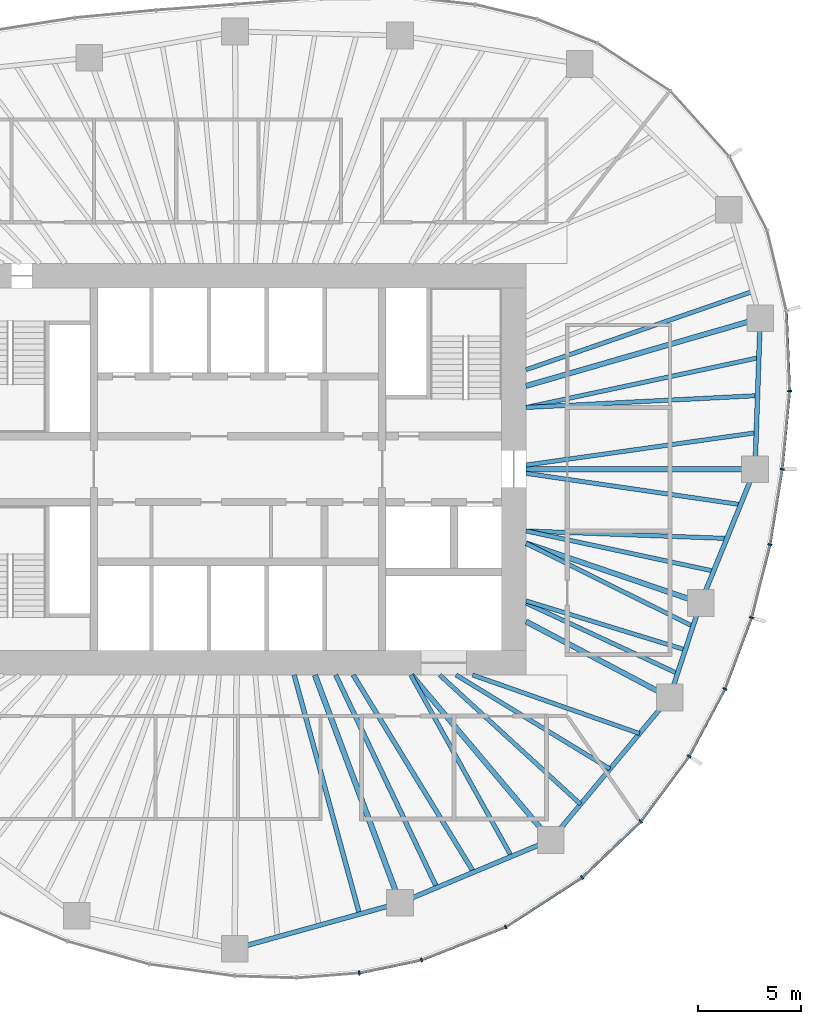
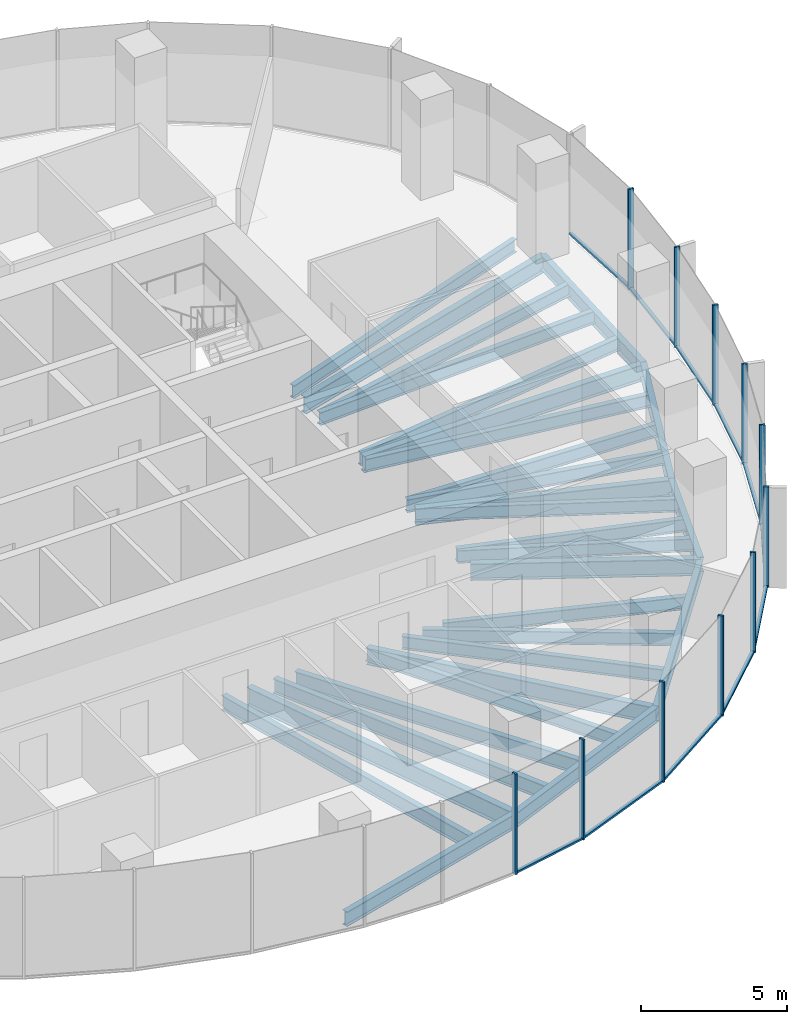
# One storey, part 4 of 12: 29 beams, 22 members, 6 elements without a shape of their own.
"""IFC4 building model written with IfcOpenShell, lengths in metres."""

from ifc_helpers import new_model, si_unit, direction, frame, origin, origin_2d, place, context, subcontext, project, spatial, rectangle, i_section, extrude, material, material_profile, profile_set, type_object, element, aggregate, save


model = new_model("IFC4")

# Units and contexts
model_context = context("Model", 3, precision=1e-05, world=origin(), true_north=direction((0.0, 1.0)))
body_context = subcontext(model_context, "Body", "Model", "MODEL_VIEW")
ifc_project = project(units=[si_unit("LENGTHUNIT", "METRE"), si_unit("AREAUNIT", "SQUARE_METRE"), si_unit("VOLUMEUNIT", "CUBIC_METRE"), si_unit("PLANEANGLEUNIT", "RADIAN"), si_unit("MASSUNIT", "GRAM", prefix="KILO")], contexts=[model_context])

# Site, building, storey
site_placement = place(None, origin())
site = spatial("IfcSite", under=ifc_project, at=site_placement, CompositionType="ELEMENT")
building_placement = place(site_placement, origin())
building = spatial("IfcBuilding", under=site, at=building_placement, Name="Ghaith Harvest Tower", CompositionType="ELEMENT")
storey_placement = place(building_placement, frame((0.0, 0.0, 207.39990234375)))
storey = spatial("IfcBuildingStorey", under=building, at=storey_placement, Name="L45", CompositionType="ELEMENT", Elevation=207.39990234375)

# Curtain wall, members
ifc_material_1 = material(Name="Black anodised aluminium and fritted glass", Category="aluminium")
curtain_wall_type = type_object("IfcCurtainWallType", Name="CW-H CURTAIN WALL", PredefinedType="NOTDEFINED", material=ifc_material_1)
curtain_wall_1_placement = place(storey_placement, origin())
curtain_wall_1 = element("IfcCurtainWall", 1, at=curtain_wall_1_placement, inside=storey, type_object=curtain_wall_type, Name="Curtain wall CW-H bay 01 L45", PredefinedType="NOTDEFINED")
ifc_material_2 = material(Name="Aluminium, black anodised", Category="aluminium")
ifc_material_profile_1 = material_profile(ifc_material_2, rectangle(XDim=0.080078125, YDim=0.199951171875, at=origin_2d()), Name="CW-H MULLION 80x200")
ifc_profile_set_1 = profile_set([ifc_material_profile_1], Name="Aluminium, black anodised")
member_type_1 = type_object("IfcMemberType", Name="CW-H MULLION 80x200", PredefinedType="MULLION", material=ifc_profile_set_1)
member_1_placement = place(storey_placement, frame((26.445068359375, 0.0, 0.0), z_axis=(0.0, 0.0, 1.0), x_axis=(0.126567624553, 0.991957981174, 0.0)))
member_1 = element("IfcMember", 2, at=member_1_placement, type_object=member_type_1, Name="CW-H mullion 1 bay 01 L45", PredefinedType="MULLION", context=body_context, shape_type="SweptSolid", body=[
    extrude(rectangle(XDim=0.080078125, YDim=0.199951171875, at=origin_2d()), origin(), (0.0, 0.0, 1.0), 4.2001953125),
])
member_2_placement = place(storey_placement, frame((26.804443359375, 3.7958984375, 0.0), z_axis=(0.0, 0.0, 1.0), x_axis=(0.026142797814, 0.999658218654, 0.0)))
member_2 = element("IfcMember", 3, at=member_2_placement, type_object=member_type_1, Name="CW-H mullion 2 bay 01 L45", PredefinedType="MULLION", context=body_context, shape_type="SweptSolid", body=[
    extrude(rectangle(XDim=0.080078125, YDim=0.199951171875, at=origin_2d()), origin(), (0.0, 0.0, 1.0), 4.2001953125),
])

# Curtain wall, member
curtain_wall_2_placement = place(storey_placement, origin())
curtain_wall_2 = element("IfcCurtainWall", 4, at=curtain_wall_2_placement, inside=storey, type_object=curtain_wall_type, Name="Curtain wall CW-H bay 16 L45", PredefinedType="NOTDEFINED")
member_3_placement = place(storey_placement, frame((5.893310546875, -24.48291015625, 0.0), z_axis=(0.0, 0.0, 1.0), x_axis=(0.989849191496, 0.142121701704, 0.0)))
member_3 = element("IfcMember", 5, at=member_3_placement, type_object=member_type_1, Name="CW-H mullion 3 bay 16 L45", PredefinedType="MULLION", context=body_context, shape_type="SweptSolid", body=[
    extrude(rectangle(XDim=0.080078125, YDim=0.199951171875, at=origin_2d()), origin(), (0.0, 0.0, 1.0), 4.2001953125),
])

# Curtain wall, members
curtain_wall_3_placement = place(storey_placement, origin())
curtain_wall_3 = element("IfcCurtainWall", 6, at=curtain_wall_3_placement, inside=storey, type_object=curtain_wall_type, Name="Curtain wall CW-H bay 17 L45", PredefinedType="NOTDEFINED")
member_4_placement = place(storey_placement, frame((8.916015625, -23.85009765625, 0.0), z_axis=(0.0, 0.0, 1.0), x_axis=(0.954029934434, 0.299711334793, 0.0)))
member_4 = element("IfcMember", 7, at=member_4_placement, type_object=member_type_1, Name="CW-H mullion 1 bay 17 L45", PredefinedType="MULLION", context=body_context, shape_type="SweptSolid", body=[
    extrude(rectangle(XDim=0.080078125, YDim=0.199951171875, at=origin_2d()), origin(), (0.0, 0.0, 1.0), 4.2001953125),
])
member_5_placement = place(storey_placement, frame((13.010009765625, -22.2470703125, 0.0), z_axis=(0.0, 0.0, 1.0), x_axis=(0.889568363425, 0.456802065225, 0.0)))
member_5 = element("IfcMember", 8, at=member_5_placement, type_object=member_type_1, Name="CW-H mullion 2 bay 17 L45", PredefinedType="MULLION", context=body_context, shape_type="SweptSolid", body=[
    extrude(rectangle(XDim=0.080078125, YDim=0.199951171875, at=origin_2d()), origin(), (0.0, 0.0, 1.0), 4.2001953125),
])

curtain_wall_4_placement = place(storey_placement, origin())
curtain_wall_4 = element("IfcCurtainWall", 9, at=curtain_wall_4_placement, inside=storey, type_object=curtain_wall_type, Name="Curtain wall CW-H bay 18 L45", PredefinedType="NOTDEFINED")
member_6_placement = place(storey_placement, frame((16.72900390625, -19.838134765625, 0.0), z_axis=(0.0, 0.0, 1.0), x_axis=(0.78784554071, 0.615872879727, 0.0)))
member_6 = element("IfcMember", 10, at=member_6_placement, type_object=member_type_1, Name="CW-H mullion 1 bay 18 L45", PredefinedType="MULLION", context=body_context, shape_type="SweptSolid", body=[
    extrude(rectangle(XDim=0.080078125, YDim=0.199951171875, at=origin_2d()), origin(), (0.0, 0.0, 1.0), 4.2001953125),
])
member_7_placement = place(storey_placement, frame((19.57421875, -17.11572265625, 0.0), z_axis=(0.0, 0.0, 1.0), x_axis=(0.661614965695, 0.749843741835, 0.0)))
member_7 = element("IfcMember", 11, at=member_7_placement, type_object=member_type_1, Name="CW-H mullion 2 bay 18 L45", PredefinedType="MULLION", context=body_context, shape_type="SweptSolid", body=[
    extrude(rectangle(XDim=0.080078125, YDim=0.199951171875, at=origin_2d()), origin(), (0.0, 0.0, 1.0), 4.2001953125),
])

curtain_wall_5_placement = place(storey_placement, origin())
curtain_wall_5 = element("IfcCurtainWall", 12, at=curtain_wall_5_placement, inside=storey, type_object=curtain_wall_type, Name="Curtain wall CW-H bay 19 L45", PredefinedType="NOTDEFINED")
member_8_placement = place(storey_placement, frame((21.922607421875, -13.951904296875, 0.0), z_axis=(0.0, 0.0, 1.0), x_axis=(0.535827198032, 0.844327669717, 0.0)))
member_8 = element("IfcMember", 13, at=member_8_placement, type_object=member_type_1, Name="CW-H mullion 1 bay 19 L45", PredefinedType="MULLION", context=body_context, shape_type="SweptSolid", body=[
    extrude(rectangle(XDim=0.080078125, YDim=0.199951171875, at=origin_2d()), origin(), (0.0, 0.0, 1.0), 4.2001953125),
])
member_9_placement = place(storey_placement, frame((23.658203125, -10.680419921875, 0.0), z_axis=(0.0, 0.0, 1.0), x_axis=(0.410429862351, 0.911892169114, 0.0)))
member_9 = element("IfcMember", 14, at=member_9_placement, type_object=member_type_1, Name="CW-H mullion 2 bay 19 L45", PredefinedType="MULLION", context=body_context, shape_type="SweptSolid", body=[
    extrude(rectangle(XDim=0.080078125, YDim=0.199951171875, at=origin_2d()), origin(), (0.0, 0.0, 1.0), 4.2001953125),
])

curtain_wall_6_placement = place(storey_placement, origin())
curtain_wall_6 = element("IfcCurtainWall", 15, at=curtain_wall_6_placement, inside=storey, type_object=curtain_wall_type, Name="Curtain wall CW-H bay 20 L45", PredefinedType="NOTDEFINED")
member_10_placement = place(storey_placement, frame((24.955810546875, -7.212890625, 0.0), z_axis=(0.0, 0.0, 1.0), x_axis=(0.298441625478, 0.954427889462, 0.0)))
member_10 = element("IfcMember", 16, at=member_10_placement, type_object=member_type_1, Name="CW-H mullion 1 bay 20 L45", PredefinedType="MULLION", context=body_context, shape_type="SweptSolid", body=[
    extrude(rectangle(XDim=0.080078125, YDim=0.199951171875, at=origin_2d()), origin(), (0.0, 0.0, 1.0), 4.2001953125),
])
member_11_placement = place(storey_placement, frame((25.85302734375, -3.6611328125, 0.0), z_axis=(0.0, 0.0, 1.0), x_axis=(0.202192370647, 0.979345825157, 0.0)))
member_11 = element("IfcMember", 17, at=member_11_placement, type_object=member_type_1, Name="CW-H mullion 2 bay 20 L45", PredefinedType="MULLION", context=body_context, shape_type="SweptSolid", body=[
    extrude(rectangle(XDim=0.080078125, YDim=0.199951171875, at=origin_2d()), origin(), (0.0, 0.0, 1.0), 4.2001953125),
])

# Member
ifc_material_3 = material(Name="Aluminium, black anodised", Category="aluminium")
ifc_material_profile_2 = material_profile(ifc_material_3, rectangle(XDim=0.1298828125, YDim=0.080078125, at=origin_2d()), Name="CW-H TRANSOM 130x80")
ifc_profile_set_2 = profile_set([ifc_material_profile_2], Name="Aluminium, black anodised")
member_type_2 = type_object("IfcMemberType", Name="CW-H TRANSOM 130x80", PredefinedType="USERDEFINED", material=ifc_profile_set_2)
member_12_placement = place(storey_placement, frame((26.44873046875, 0.039794921875, 0.0400390625), z_axis=(0.094309089207, 0.995542965267, 0.0), x_axis=(-0.995542965267, 0.094309089207, 0.0)))
member_12 = element("IfcMember", 18, at=member_12_placement, type_object=member_type_2, Name="CW-H transom 1 bay 01 L45", ObjectType="TRANSOM", PredefinedType="USERDEFINED", context=body_context, shape_type="SweptSolid", body=[
    extrude(rectangle(XDim=0.1298828125, YDim=0.080078125, at=origin_2d()), origin(), (0.0, 0.0, 1.0), 3.73291015625),
])

member_13_placement = place(storey_placement, frame((26.802978515625, 3.8359375, 0.0400390625), z_axis=(-0.040492641284, 0.999179836667, 0.0), x_axis=(-0.999179836667, -0.040492641284, 0.0)))
member_13 = element("IfcMember", 19, at=member_13_placement, type_object=member_type_2, Name="CW-H transom 2 bay 01 L45", ObjectType="TRANSOM", PredefinedType="USERDEFINED", context=body_context, shape_type="SweptSolid", body=[
    extrude(rectangle(XDim=0.1298828125, YDim=0.080078125, at=origin_2d()), origin(), (0.0, 0.0, 1.0), 3.82861328125),
])

aggregate(curtain_wall_1, [member_1, member_12, member_2, member_13])

member_14_placement = place(storey_placement, frame((5.932373046875, -24.474609375, 0.0400390625), z_axis=(0.978797058213, 0.204832416461, 0.0), x_axis=(-0.204832416461, 0.978797058213, 0.0)))
member_14 = element("IfcMember", 20, at=member_14_placement, type_object=member_type_2, Name="CW-H transom 3 bay 16 L45", ObjectType="TRANSOM", PredefinedType="USERDEFINED", context=body_context, shape_type="SweptSolid", body=[
    extrude(rectangle(XDim=0.1298828125, YDim=0.080078125, at=origin_2d()), origin(), (0.0, 0.0, 1.0), 3.00830078125),
])

aggregate(curtain_wall_2, [member_3, member_14])

member_15_placement = place(storey_placement, frame((8.953369140625, -23.835693359375, 0.0400390625), z_axis=(0.931147615871, 0.364642451529, 0.0), x_axis=(-0.364642451529, 0.931147615871, 0.0)))
member_15 = element("IfcMember", 21, at=member_15_placement, type_object=member_type_2, Name="CW-H transom 1 bay 17 L45", ObjectType="TRANSOM", PredefinedType="USERDEFINED", context=body_context, shape_type="SweptSolid", body=[
    extrude(rectangle(XDim=0.1298828125, YDim=0.080078125, at=origin_2d()), origin(), (0.0, 0.0, 1.0), 4.31640625),
])

member_16_placement = place(storey_placement, frame((13.04345703125, -22.225341796875, 0.0400390625), z_axis=(0.839306610985, 0.543658360331, 0.0), x_axis=(-0.543658360331, 0.839306610985, 0.0)))
member_16 = element("IfcMember", 22, at=member_16_placement, type_object=member_type_2, Name="CW-H transom 2 bay 17 L45", ObjectType="TRANSOM", PredefinedType="USERDEFINED", context=body_context, shape_type="SweptSolid", body=[
    extrude(rectangle(XDim=0.1298828125, YDim=0.080078125, at=origin_2d()), origin(), (0.0, 0.0, 1.0), 4.35107421875),
])

aggregate(curtain_wall_3, [member_4, member_15, member_5, member_16])

member_17_placement = place(storey_placement, frame((16.7578125, -19.810546875, 0.0400390625), z_axis=(0.722533278657, 0.691336141998, 0.0), x_axis=(-0.691336141998, 0.722533278657, 0.0)))
member_17 = element("IfcMember", 23, at=member_17_placement, type_object=member_type_2, Name="CW-H transom 1 bay 18 L45", ObjectType="TRANSOM", PredefinedType="USERDEFINED", context=body_context, shape_type="SweptSolid", body=[
    extrude(rectangle(XDim=0.1298828125, YDim=0.080078125, at=origin_2d()), origin(), (0.0, 0.0, 1.0), 3.858154296875),
])

member_18_placement = place(storey_placement, frame((19.59814453125, -17.083740234375, 0.0400390625), z_axis=(0.595995597074, 0.802987701194, 0.0), x_axis=(-0.802987701194, 0.595995597074, 0.0)))
member_18 = element("IfcMember", 24, at=member_18_placement, type_object=member_type_2, Name="CW-H transom 2 bay 18 L45", ObjectType="TRANSOM", PredefinedType="USERDEFINED", context=body_context, shape_type="SweptSolid", body=[
    extrude(rectangle(XDim=0.1298828125, YDim=0.080078125, at=origin_2d()), origin(), (0.0, 0.0, 1.0), 3.8603515625),
])

aggregate(curtain_wall_4, [member_6, member_17, member_7, member_18])

member_19_placement = place(storey_placement, frame((21.94140625, -13.91650390625, 0.0400390625), z_axis=(0.468646057757, 0.883386026915, 0.0), x_axis=(-0.883386026915, 0.468646057757, 0.0)))
member_19 = element("IfcMember", 25, at=member_19_placement, type_object=member_type_2, Name="CW-H transom 1 bay 19 L45", ObjectType="TRANSOM", PredefinedType="USERDEFINED", context=body_context, shape_type="SweptSolid", body=[
    extrude(rectangle(XDim=0.1298828125, YDim=0.080078125, at=origin_2d()), origin(), (0.0, 0.0, 1.0), 3.623291015625),
])

member_20_placement = place(storey_placement, frame((23.672119140625, -10.64306640625, 0.0400390625), z_axis=(0.350510368091, 0.936558851253, 0.0), x_axis=(-0.936558851253, 0.350510368091, 0.0)))
member_20 = element("IfcMember", 26, at=member_20_placement, type_object=member_type_2, Name="CW-H transom 2 bay 19 L45", ObjectType="TRANSOM", PredefinedType="USERDEFINED", context=body_context, shape_type="SweptSolid", body=[
    extrude(rectangle(XDim=0.1298828125, YDim=0.080078125, at=origin_2d()), origin(), (0.0, 0.0, 1.0), 3.62255859375),
])

aggregate(curtain_wall_5, [member_8, member_19, member_9, member_20])

member_21_placement = place(storey_placement, frame((24.965576171875, -7.174072265625, 0.0400390625), z_axis=(0.244939588347, 0.969538342749, 0.0), x_axis=(-0.969538342749, 0.244939588347, 0.0)))
member_21 = element("IfcMember", 27, at=member_21_placement, type_object=member_type_2, Name="CW-H transom 1 bay 20 L45", ObjectType="TRANSOM", PredefinedType="USERDEFINED", context=body_context, shape_type="SweptSolid", body=[
    extrude(rectangle(XDim=0.1298828125, YDim=0.080078125, at=origin_2d()), origin(), (0.0, 0.0, 1.0), 3.583251953125),
])

member_22_placement = place(storey_placement, frame((25.859375, -3.62158203125, 0.0400390625), z_axis=(0.159661845696, 0.987171765717, 0.0), x_axis=(-0.987171765717, 0.159661845696, 0.0)))
member_22 = element("IfcMember", 28, at=member_22_placement, type_object=member_type_2, Name="CW-H transom 2 bay 20 L45", ObjectType="TRANSOM", PredefinedType="USERDEFINED", context=body_context, shape_type="SweptSolid", body=[
    extrude(rectangle(XDim=0.1298828125, YDim=0.080078125, at=origin_2d()), origin(), (0.0, 0.0, 1.0), 3.628662109375),
])

aggregate(curtain_wall_6, [member_10, member_21, member_11, member_22])

# Beams
ifc_material_4 = material(Name="Steel ASTM A992 Grade 50", Category="steel")
ifc_material_profile_3 = material_profile(ifc_material_4, i_section(OverallWidth=0.22900390625, OverallDepth=0.612060546875, WebThickness=0.011962890625, FlangeThickness=0.01953125, at=origin_2d()), Name="W610X125")
ifc_profile_set_3 = profile_set([ifc_material_profile_3], Name="Steel ASTM A992 Grade 50")
beam_type_1 = type_object("IfcBeamType", Name="E610-125 W610X125", PredefinedType="SPANDREL", material=ifc_profile_set_3)
beam_1_placement = place(storey_placement, frame((25.125, 0.0, -0.475830078125), z_axis=(0.03446227584, 0.999405999354, 0.0), x_axis=(-0.999405999354, 0.03446227584, 0.0)))
element("IfcBeam", 29, at=beam_1_placement, inside=storey, type_object=beam_type_1, Name="Edge beam E01 L45", PredefinedType="SPANDREL", context=body_context, shape_type="SweptSolid", body=[
    extrude(i_section(OverallWidth=0.22900390625, OverallDepth=0.612060546875, WebThickness=0.011962890625, FlangeThickness=0.01953125, at=origin_2d()), origin(), (0.0, 0.0, 1.0), 7.33935546875),
])
beam_2_placement = place(storey_placement, frame((-0.158935546875, -23.304931640625, -0.475830078125), z_axis=(0.963504070594, 0.267693679323, 0.0), x_axis=(-0.267693679323, 0.963504070594, 0.0)))
element("IfcBeam", 30, at=beam_2_placement, inside=storey, type_object=beam_type_1, Name="Edge beam E16 L45", PredefinedType="SPANDREL", context=body_context, shape_type="SweptSolid", body=[
    extrude(i_section(OverallWidth=0.22900390625, OverallDepth=0.612060546875, WebThickness=0.011962890625, FlangeThickness=0.01953125, at=origin_2d()), origin(), (0.0, 0.0, 1.0), 8.34130859375),
])
beam_3_placement = place(storey_placement, frame((7.8779296875, -21.072021484375, -0.475830078125), z_axis=(0.923119729219, 0.384512633766, 0.0), x_axis=(-0.384512633766, 0.923119729219, 0.0)))
element("IfcBeam", 31, at=beam_3_placement, inside=storey, type_object=beam_type_1, Name="Edge beam E17 L45", PredefinedType="SPANDREL", context=body_context, shape_type="SweptSolid", body=[
    extrude(i_section(OverallWidth=0.22900390625, OverallDepth=0.612060546875, WebThickness=0.011962890625, FlangeThickness=0.01953125, at=origin_2d()), origin(), (0.0, 0.0, 1.0), 7.9296875),
])
beam_4_placement = place(storey_placement, frame((15.197998046875, -18.02294921875, -0.475830078125), z_axis=(0.640173759088, 0.76823014662, 0.0), x_axis=(-0.76823014662, 0.640173759088, 0.0)))
element("IfcBeam", 32, at=beam_4_placement, inside=storey, type_object=beam_type_1, Name="Edge beam E18 L45", PredefinedType="SPANDREL", context=body_context, shape_type="SweptSolid", body=[
    extrude(i_section(OverallWidth=0.22900390625, OverallDepth=0.612060546875, WebThickness=0.011962890625, FlangeThickness=0.01953125, at=origin_2d()), origin(), (0.0, 0.0, 1.0), 9.02734375),
])
beam_5_placement = place(storey_placement, frame((20.97705078125, -11.087890625, -0.475830078125), z_axis=(0.312206727278, 0.950014189074, 0.0), x_axis=(-0.950014189074, 0.312206727278, 0.0)))
element("IfcBeam", 33, at=beam_5_placement, inside=storey, type_object=beam_type_1, Name="Edge beam E19 L45", PredefinedType="SPANDREL", context=body_context, shape_type="SweptSolid", body=[
    extrude(i_section(OverallWidth=0.22900390625, OverallDepth=0.612060546875, WebThickness=0.011962890625, FlangeThickness=0.01953125, at=origin_2d()), origin(), (0.0, 0.0, 1.0), 4.830322265625),
])
beam_6_placement = place(storey_placement, frame((22.485107421875, -6.4990234375, -0.475830078125), z_axis=(0.376335970246, 0.926483263475, 0.0), x_axis=(-0.926483263475, 0.376335970246, 0.0)))
element("IfcBeam", 34, at=beam_6_placement, inside=storey, type_object=beam_type_1, Name="Edge beam E20 L45", PredefinedType="SPANDREL", context=body_context, shape_type="SweptSolid", body=[
    extrude(i_section(OverallWidth=0.22900390625, OverallDepth=0.612060546875, WebThickness=0.011962890625, FlangeThickness=0.01953125, at=origin_2d()), origin(), (0.0, 0.0, 1.0), 7.0146484375),
])
ifc_material_5 = material(Name="Steel ASTM A992 Grade 50", Category="steel")
ifc_material_profile_4 = material_profile(ifc_material_5, i_section(OverallWidth=0.256103515625, OverallDepth=0.693115234375, WebThickness=0.014404296875, FlangeThickness=0.023681640625, at=origin_2d()), Name="W690X170")
ifc_profile_set_4 = profile_set([ifc_material_profile_4], Name="Steel ASTM A992 Grade 50")
beam_type_2 = type_object("IfcBeamType", Name="G690-170 W690X170", PredefinedType="BEAM", material=ifc_profile_set_4)
beam_7_placement = place(storey_placement, frame((14.0, 0.0, -0.516357421875), z_axis=(1.0, 0.0, 0.0), x_axis=(0.0, 1.0, 0.0)))
element("IfcBeam", 35, at=beam_7_placement, inside=storey, type_object=beam_type_2, Name="Radial girder G01 L45", PredefinedType="BEAM", context=body_context, shape_type="SweptSolid", body=[
    extrude(i_section(OverallWidth=0.256103515625, OverallDepth=0.693115234375, WebThickness=0.014404296875, FlangeThickness=0.023681640625, at=origin_2d()), origin(), (0.0, 0.0, 1.0), 11.125),
])
beam_8_placement = place(storey_placement, frame((14.0, 4.04638671875, -0.516357421875), z_axis=(0.960677776578, 0.277665643518, 0.0), x_axis=(-0.277665643518, 0.960677776578, 0.0)))
element("IfcBeam", 36, at=beam_8_placement, inside=storey, type_object=beam_type_2, Name="Radial girder G02 L45", PredefinedType="BEAM", context=body_context, shape_type="SweptSolid", body=[
    extrude(i_section(OverallWidth=0.256103515625, OverallDepth=0.693115234375, WebThickness=0.014404296875, FlangeThickness=0.023681640625, at=origin_2d()), origin(), (0.0, 0.0, 1.0), 11.84375),
])
beam_9_placement = place(storey_placement, frame((8.4326171875, -10.0, -0.516357421875), z_axis=(0.644649240595, -0.764478486682, 0.0), x_axis=(0.764478486682, 0.644649240595, 0.0)))
element("IfcBeam", 37, at=beam_9_placement, inside=storey, type_object=beam_type_2, Name="Radial girder G18 L45", PredefinedType="BEAM", context=body_context, shape_type="SweptSolid", body=[
    extrude(i_section(OverallWidth=0.256103515625, OverallDepth=0.693115234375, WebThickness=0.014404296875, FlangeThickness=0.023681640625, at=origin_2d()), origin(), (0.0, 0.0, 1.0), 10.49462890625),
])
beam_10_placement = place(storey_placement, frame((14.0, -7.39990234375, -0.516357421875), z_axis=(0.884088732293, -0.467319070264, 0.0), x_axis=(0.467319070264, 0.884088732293, 0.0)))
element("IfcBeam", 38, at=beam_10_placement, inside=storey, type_object=beam_type_2, Name="Radial girder G19 L45", PredefinedType="BEAM", context=body_context, shape_type="SweptSolid", body=[
    extrude(i_section(OverallWidth=0.256103515625, OverallDepth=0.693115234375, WebThickness=0.014404296875, FlangeThickness=0.023681640625, at=origin_2d()), origin(), (0.0, 0.0, 1.0), 7.891845703125),
])
beam_11_placement = place(storey_placement, frame((14.0, -3.60009765625, -0.516357421875), z_axis=(0.94629622913, -0.323300861018, 0.0), x_axis=(0.323300861018, 0.94629622913, 0.0)))
element("IfcBeam", 39, at=beam_11_placement, inside=storey, type_object=beam_type_2, Name="Radial girder G20 L45", PredefinedType="BEAM", context=body_context, shape_type="SweptSolid", body=[
    extrude(i_section(OverallWidth=0.256103515625, OverallDepth=0.693115234375, WebThickness=0.014404296875, FlangeThickness=0.023681640625, at=origin_2d()), origin(), (0.0, 0.0, 1.0), 8.966552734375),
])
ifc_material_6 = material(Name="Steel ASTM A992 Grade 50", Category="steel")
ifc_material_profile_5 = material_profile(ifc_material_6, i_section(OverallWidth=0.26806640625, OverallDepth=0.77001953125, WebThickness=0.015625, FlangeThickness=0.025390625, at=origin_2d()), Name="W760X196")
ifc_profile_set_5 = profile_set([ifc_material_profile_5], Name="Steel ASTM A992 Grade 50")
beam_type_3 = type_object("IfcBeamType", Name="G760-196 W760X196", PredefinedType="BEAM", material=ifc_profile_set_5)
beam_12_placement = place(storey_placement, frame((3.73828125, -10.0, -0.554931640625), z_axis=(0.350206582147, -0.936672488024, 0.0), x_axis=(0.936672488024, 0.350206582147, 0.0)))
element("IfcBeam", 40, at=beam_12_placement, inside=storey, type_object=beam_type_3, Name="Radial girder G17 L45", PredefinedType="BEAM", context=body_context, shape_type="SweptSolid", body=[
    extrude(i_section(OverallWidth=0.26806640625, OverallDepth=0.77001953125, WebThickness=0.015625, FlangeThickness=0.025390625, at=origin_2d()), origin(), (0.0, 0.0, 1.0), 11.820556640625),
])
ifc_material_7 = material(Name="Steel ASTM A992 Grade 50", Category="steel")
ifc_material_profile_6 = material_profile(ifc_material_7, i_section(OverallWidth=0.2109375, OverallDepth=0.5390625, WebThickness=0.01171875, FlangeThickness=0.018798828125, at=origin_2d()), Name="W530X109")
ifc_profile_set_6 = profile_set([ifc_material_profile_6], Name="Steel ASTM A992 Grade 50")
beam_type_4 = type_object("IfcBeamType", Name="J530-109 W530X109", PredefinedType="JOIST", material=ifc_profile_set_6)
beam_13_placement = place(storey_placement, frame((14.0, 0.199951171875, -0.439453125), z_axis=(0.990239574724, 0.139375696052, 0.0), x_axis=(-0.139375696052, 0.990239574724, 0.0)))
element("IfcBeam", 41, at=beam_13_placement, inside=storey, type_object=beam_type_4, Name="Joist J01.1 L45", PredefinedType="JOIST", context=body_context, shape_type="SweptSolid", body=[
    extrude(i_section(OverallWidth=0.2109375, OverallDepth=0.5390625, WebThickness=0.01171875, FlangeThickness=0.018798828125, at=origin_2d()), origin(), (0.0, 0.0, 1.0), 11.296630859375),
])
beam_14_placement = place(storey_placement, frame((14.0, 3.0, -0.439453125), z_axis=(0.998693995267, 0.051091132482, 0.0), x_axis=(-0.051091132482, 0.998693995267, 0.0)))
element("IfcBeam", 42, at=beam_14_placement, inside=storey, type_object=beam_type_4, Name="Joist J01.2 L45", PredefinedType="JOIST", context=body_context, shape_type="SweptSolid", body=[
    extrude(i_section(OverallWidth=0.2109375, OverallDepth=0.5390625, WebThickness=0.01171875, FlangeThickness=0.018798828125, at=origin_2d()), origin(), (0.0, 0.0, 1.0), 11.262939453125),
])
beam_15_placement = place(storey_placement, frame((14.0, 3.0, -0.439453125), z_axis=(0.977840076912, 0.209353251672, 0.0), x_axis=(-0.209353251672, 0.977840076912, 0.0)))
element("IfcBeam", 43, at=beam_15_placement, inside=storey, type_object=beam_type_4, Name="Joist J01.3 L45", PredefinedType="JOIST", context=body_context, shape_type="SweptSolid", body=[
    extrude(i_section(OverallWidth=0.2109375, OverallDepth=0.5390625, WebThickness=0.01171875, FlangeThickness=0.018798828125, at=origin_2d()), origin(), (0.0, 0.0, 1.0), 11.568359375),
])
beam_16_placement = place(storey_placement, frame((14.0, 4.835693359375, -0.439453125), z_axis=(0.945202328042, 0.326485159025, 0.0), x_axis=(-0.326485159025, 0.945202328042, 0.0)))
element("IfcBeam", 44, at=beam_16_placement, inside=storey, type_object=beam_type_4, Name="Joist J02.1 L45", PredefinedType="JOIST", context=body_context, shape_type="SweptSolid", body=[
    extrude(i_section(OverallWidth=0.2109375, OverallDepth=0.5390625, WebThickness=0.01171875, FlangeThickness=0.018798828125, at=origin_2d()), origin(), (0.0, 0.0, 1.0), 11.63916015625),
])
beam_17_placement = place(storey_placement, frame((8.39990234375, -10.0, -0.439453125), z_axis=(0.484919107871, -0.874559008199, 0.0), x_axis=(0.874559008199, 0.484919107871, 0.0)))
element("IfcBeam", 45, at=beam_17_placement, inside=storey, type_object=beam_type_4, Name="Joist J17.3 L45", PredefinedType="JOIST", context=body_context, shape_type="SweptSolid", body=[
    extrude(i_section(OverallWidth=0.2109375, OverallDepth=0.5390625, WebThickness=0.01171875, FlangeThickness=0.018798828125, at=origin_2d()), origin(), (0.0, 0.0, 1.0), 10.0830078125),
])
beam_18_placement = place(storey_placement, frame((9.800048828125, -10.0, -0.439453125), z_axis=(0.736998187228, -0.675894719629, 0.0), x_axis=(0.675894719629, 0.736998187228, 0.0)))
element("IfcBeam", 46, at=beam_18_placement, inside=storey, type_object=beam_type_4, Name="Joist J18.1 L45", PredefinedType="JOIST", context=body_context, shape_type="SweptSolid", body=[
    extrude(i_section(OverallWidth=0.2109375, OverallDepth=0.5390625, WebThickness=0.01171875, FlangeThickness=0.018798828125, at=origin_2d()), origin(), (0.0, 0.0, 1.0), 9.293701171875),
])
beam_19_placement = place(storey_placement, frame((14.0, -3.0, -0.439453125), z_axis=(0.977841497168, -0.209346617877, 0.0), x_axis=(0.209346617877, 0.977841497168, 0.0)))
element("IfcBeam", 47, at=beam_19_placement, inside=storey, type_object=beam_type_4, Name="Joist J20.1 L45", PredefinedType="JOIST", context=body_context, shape_type="SweptSolid", body=[
    extrude(i_section(OverallWidth=0.2109375, OverallDepth=0.5390625, WebThickness=0.01171875, FlangeThickness=0.018798828125, at=origin_2d()), origin(), (0.0, 0.0, 1.0), 9.3203125),
])
beam_20_placement = place(storey_placement, frame((14.0, -3.0, -0.439453125), z_axis=(0.999303105315, -0.037326983644, 0.0), x_axis=(0.037326983644, 0.999303105315, 0.0)))
element("IfcBeam", 48, at=beam_20_placement, inside=storey, type_object=beam_type_4, Name="Joist J20.2 L45", PredefinedType="JOIST", context=body_context, shape_type="SweptSolid", body=[
    extrude(i_section(OverallWidth=0.2109375, OverallDepth=0.5390625, WebThickness=0.01171875, FlangeThickness=0.018798828125, at=origin_2d()), origin(), (0.0, 0.0, 1.0), 9.76513671875),
])
beam_21_placement = place(storey_placement, frame((14.0, -0.199951171875, -0.439453125), z_axis=(0.989525259022, -0.144359834294, 0.0), x_axis=(0.144359834294, 0.989525259022, 0.0)))
element("IfcBeam", 49, at=beam_21_placement, inside=storey, type_object=beam_type_4, Name="Joist J20.3 L45", PredefinedType="JOIST", context=body_context, shape_type="SweptSolid", body=[
    extrude(i_section(OverallWidth=0.2109375, OverallDepth=0.5390625, WebThickness=0.01171875, FlangeThickness=0.018798828125, at=origin_2d()), origin(), (0.0, 0.0, 1.0), 10.5361328125),
])
ifc_material_8 = material(Name="Steel ASTM A992 Grade 50", Category="steel")
ifc_material_profile_7 = material_profile(ifc_material_8, i_section(OverallWidth=0.208984375, OverallDepth=0.532958984375, WebThickness=0.01025390625, FlangeThickness=0.015625, at=origin_2d()), Name="W530X92")
ifc_profile_set_7 = profile_set([ifc_material_profile_7], Name="Steel ASTM A992 Grade 50")
beam_type_5 = type_object("IfcBeamType", Name="J530-92 W530X92", PredefinedType="JOIST", material=ifc_profile_set_7)
beam_22_placement = place(storey_placement, frame((10.60009765625, -10.0, -0.4365234375), z_axis=(0.853467052113, -0.521146803654, 0.0), x_axis=(0.521146803654, 0.853467052113, 0.0)))
element("IfcBeam", 50, at=beam_22_placement, inside=storey, type_object=beam_type_5, Name="Joist J18.2 L45", PredefinedType="JOIST", context=body_context, shape_type="SweptSolid", body=[
    extrude(i_section(OverallWidth=0.208984375, OverallDepth=0.532958984375, WebThickness=0.01025390625, FlangeThickness=0.015625, at=origin_2d()), origin(), (0.0, 0.0, 1.0), 8.76220703125),
])
beam_23_placement = place(storey_placement, frame((11.39990234375, -10.0, -0.4365234375), z_axis=(0.943605274188, -0.331072630285, 0.0), x_axis=(0.331072630285, 0.943605274188, 0.0)))
element("IfcBeam", 51, at=beam_23_placement, inside=storey, type_object=beam_type_5, Name="Joist J18.3 L45", PredefinedType="JOIST", context=body_context, shape_type="SweptSolid", body=[
    extrude(i_section(OverallWidth=0.208984375, OverallDepth=0.532958984375, WebThickness=0.01025390625, FlangeThickness=0.015625, at=origin_2d()), origin(), (0.0, 0.0, 1.0), 8.596923828125),
])
beam_24_placement = place(storey_placement, frame((14.0, -6.506103515625, -0.4365234375), z_axis=(0.906865270415, -0.421420670251, 0.0), x_axis=(0.421420670251, 0.906865270415, 0.0)))
element("IfcBeam", 52, at=beam_24_placement, inside=storey, type_object=beam_type_5, Name="Joist J19.1 L45", PredefinedType="JOIST", context=body_context, shape_type="SweptSolid", body=[
    extrude(i_section(OverallWidth=0.208984375, OverallDepth=0.532958984375, WebThickness=0.01025390625, FlangeThickness=0.015625, at=origin_2d()), origin(), (0.0, 0.0, 1.0), 8.11474609375),
])
beam_25_placement = place(storey_placement, frame((14.0, -6.39990234375, -0.4365234375), z_axis=(0.955870927609, -0.293786946192, 0.0), x_axis=(0.293786946192, 0.955870927609, 0.0)))
element("IfcBeam", 53, at=beam_25_placement, inside=storey, type_object=beam_type_5, Name="Joist J19.2 L45", PredefinedType="JOIST", context=body_context, shape_type="SweptSolid", body=[
    extrude(i_section(OverallWidth=0.208984375, OverallDepth=0.532958984375, WebThickness=0.01025390625, FlangeThickness=0.015625, at=origin_2d()), origin(), (0.0, 0.0, 1.0), 8.09326171875),
])
beam_26_placement = place(storey_placement, frame((14.0, -3.60009765625, -0.4365234375), z_axis=(0.89523949078, -0.445585293909, 0.0), x_axis=(0.445585293909, 0.89523949078, 0.0)))
element("IfcBeam", 54, at=beam_26_placement, inside=storey, type_object=beam_type_5, Name="Joist J19.3 L45", PredefinedType="JOIST", context=body_context, shape_type="SweptSolid", body=[
    extrude(i_section(OverallWidth=0.208984375, OverallDepth=0.532958984375, WebThickness=0.01025390625, FlangeThickness=0.015625, at=origin_2d()), origin(), (0.0, 0.0, 1.0), 9.060302734375),
])
ifc_material_9 = material(Name="Steel ASTM A992 Grade 50", Category="steel")
ifc_material_profile_8 = material_profile(ifc_material_9, i_section(OverallWidth=0.22900390625, OverallDepth=0.612060546875, WebThickness=0.011962890625, FlangeThickness=0.01953125, at=origin_2d()), Name="W610X125")
ifc_profile_set_8 = profile_set([ifc_material_profile_8], Name="Steel ASTM A992 Grade 50")
beam_type_6 = type_object("IfcBeamType", Name="J610-125 W610X125", PredefinedType="JOIST", material=ifc_profile_set_8)
beam_27_placement = place(storey_placement, frame((2.73095703125, -10.0, -0.475830078125), z_axis=(0.263456947705, -0.964671154698, 0.0), x_axis=(0.964671154698, 0.263456947705, 0.0)))
element("IfcBeam", 55, at=beam_27_placement, inside=storey, type_object=beam_type_6, Name="Joist J16.3 L45", PredefinedType="JOIST", context=body_context, shape_type="SweptSolid", body=[
    extrude(i_section(OverallWidth=0.22900390625, OverallDepth=0.612060546875, WebThickness=0.011962890625, FlangeThickness=0.01953125, at=origin_2d()), origin(), (0.0, 0.0, 1.0), 12.0458984375),
])
beam_28_placement = place(storey_placement, frame((4.75, -10.0, -0.475830078125), z_axis=(0.429080762264, -0.90326612881, 0.0), x_axis=(0.90326612881, 0.429080762264, 0.0)))
element("IfcBeam", 56, at=beam_28_placement, inside=storey, type_object=beam_type_6, Name="Joist J17.1 L45", PredefinedType="JOIST", context=body_context, shape_type="SweptSolid", body=[
    extrude(i_section(OverallWidth=0.22900390625, OverallDepth=0.612060546875, WebThickness=0.011962890625, FlangeThickness=0.01953125, at=origin_2d()), origin(), (0.0, 0.0, 1.0), 11.437255859375),
])
beam_29_placement = place(storey_placement, frame((5.60009765625, -10.0, -0.475830078125), z_axis=(0.521165912119, -0.853455383746, 0.0), x_axis=(0.853455383746, 0.521165912119, 0.0)))
element("IfcBeam", 57, at=beam_29_placement, inside=storey, type_object=beam_type_6, Name="Joist J17.2 L45", PredefinedType="JOIST", context=body_context, shape_type="SweptSolid", body=[
    extrude(i_section(OverallWidth=0.22900390625, OverallDepth=0.612060546875, WebThickness=0.011962890625, FlangeThickness=0.01953125, at=origin_2d()), origin(), (0.0, 0.0, 1.0), 11.228759765625),
])

save(model, "model.ifc")
